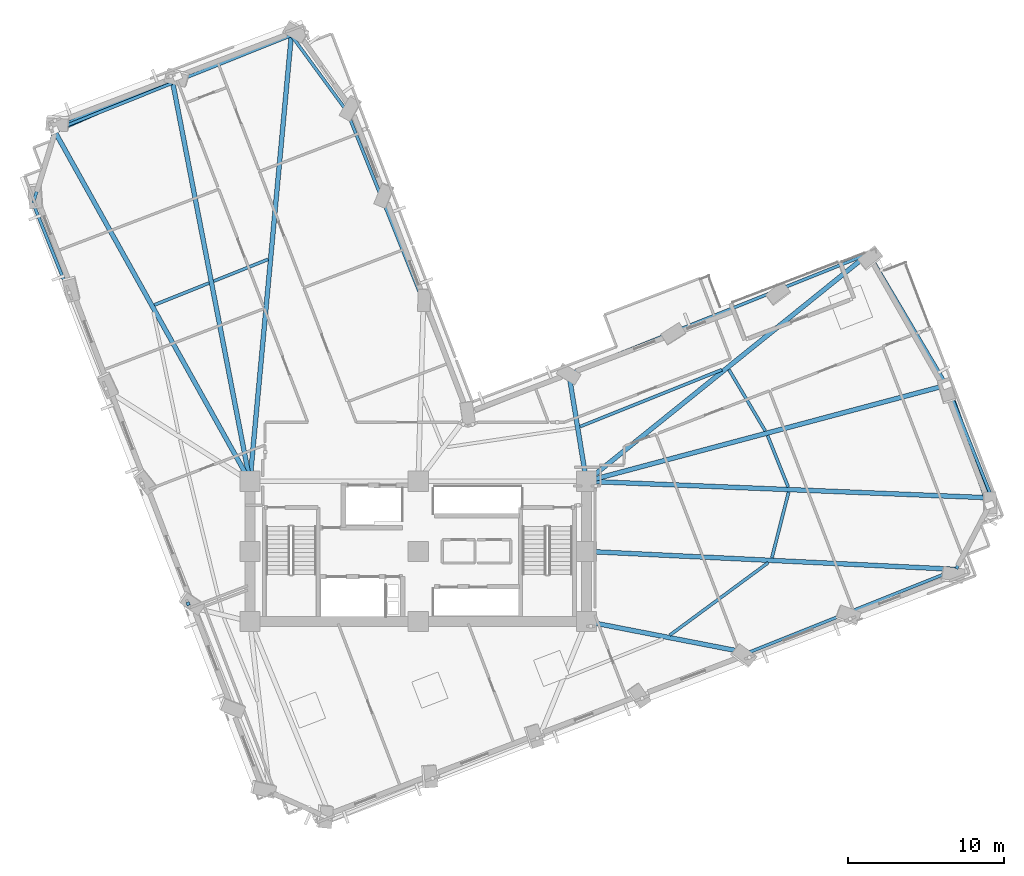
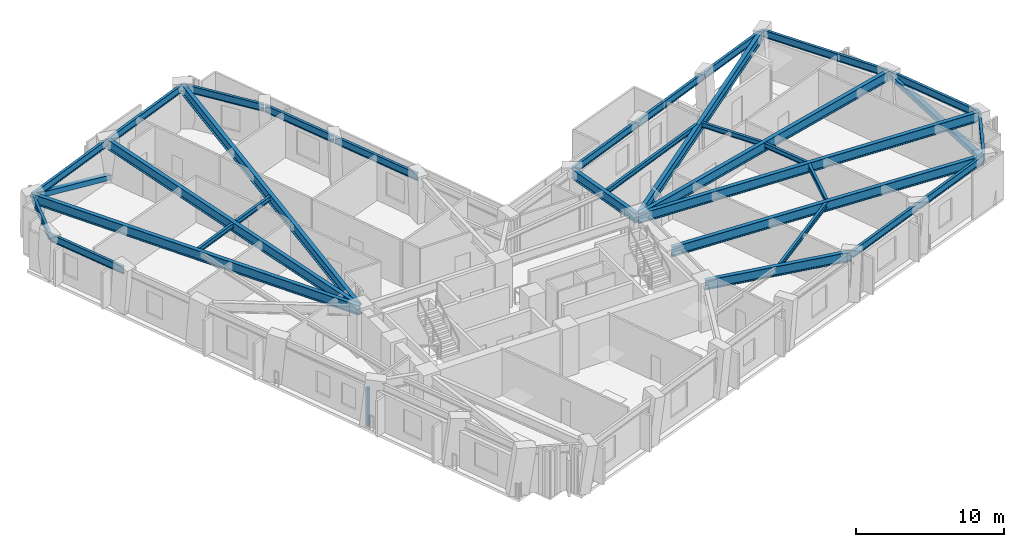
# One storey, part 2 of 15: 31 beams, 2 members, 1 plate.
"""IFC4 building model written with IfcOpenShell, lengths in metres."""

from ifc_helpers import new_model, si_unit, direction, frame, origin, origin_2d, place, context, subcontext, project, spatial, rectangle, hollow_rectangle, i_section, extrude, material, layer, layer_set, material_profile, profile_set, type_object, element, save


model = new_model("IFC4")

# Units and contexts
model_context = context("Model", 3, precision=1e-05, world=origin(), true_north=direction((0.0, 1.0)))
body_context = subcontext(model_context, "Body", "Model", "MODEL_VIEW")
ifc_project = project(units=[si_unit("LENGTHUNIT", "METRE"), si_unit("AREAUNIT", "SQUARE_METRE"), si_unit("VOLUMEUNIT", "CUBIC_METRE"), si_unit("PLANEANGLEUNIT", "RADIAN"), si_unit("MASSUNIT", "GRAM", prefix="KILO")], contexts=[model_context])

# Site, building, storey
site_placement = place(None, origin())
site = spatial("IfcSite", under=ifc_project, at=site_placement, CompositionType="ELEMENT")
building_placement = place(site_placement, origin())
building = spatial("IfcBuilding", under=site, at=building_placement, Name="Gaonmaruhae Medical Tower", CompositionType="ELEMENT")
storey_placement = place(building_placement, frame((0.0, 0.0, 112.39990234375)))
storey = spatial("IfcBuildingStorey", under=building, at=storey_placement, Name="L26", CompositionType="ELEMENT", Elevation=112.39990234375)

# Beams
ifc_material_1 = material(Name="Steel SM355", Category="steel")
ifc_material_profile_1 = material_profile(ifc_material_1, i_section(OverallWidth=0.199951171875, OverallDepth=0.39990234375, WebThickness=0.008056640625, FlangeThickness=0.012939453125, FilletRadius=0.012939453125, at=origin_2d()), Name="H-400x200x8x13")
ifc_profile_set_1 = profile_set([ifc_material_profile_1], Name="Steel SM355")
beam_type_1 = type_object("IfcBeamType", Name="FJ-01 Lower Zone Ward Floor Joist (H-400x200x8x13)", PredefinedType="JOIST", material=ifc_profile_set_1)
beam_1_placement = place(storey_placement, frame((40.951171875, 6.91748046875, 3.580078125), z_axis=(0.804739959539, 0.593627490537, 0.0), x_axis=(-0.593627490537, 0.804739959539, 0.0)))
element("IfcBeam", 1, at=beam_1_placement, inside=storey, type_object=beam_type_1, Name="L26 Secondary Floor Joist FJ03", PredefinedType="JOIST", context=body_context, shape_type="SweptSolid", body=[
    extrude(i_section(OverallWidth=0.199951171875, OverallDepth=0.39990234375, WebThickness=0.008056640625, FlangeThickness=0.012939453125, FilletRadius=0.012939453125, at=origin_2d()), origin(), (0.0, 0.0, 1.0), 7.85107421875),
])
beam_2_placement = place(storey_placement, frame((47.50439453125, 11.876953125, 3.580078125), z_axis=(0.246148847896, 0.969232038616, 0.0), x_axis=(-0.969232038616, 0.246148847896, 0.0)))
element("IfcBeam", 2, at=beam_2_placement, inside=storey, type_object=beam_type_1, Name="L26 Secondary Floor Joist FJ04", PredefinedType="JOIST", context=body_context, shape_type="SweptSolid", body=[
    extrude(i_section(OverallWidth=0.199951171875, OverallDepth=0.39990234375, WebThickness=0.008056640625, FlangeThickness=0.012939453125, FilletRadius=0.012939453125, at=origin_2d()), origin(), (0.0, 0.0, 1.0), 4.3701171875),
])
beam_3_placement = place(storey_placement, frame((48.5556640625, 16.425048828125, 3.580078125), z_axis=(-0.372168184226, 0.92816530998, 0.0), x_axis=(-0.92816530998, -0.372168184226, 0.0)))
element("IfcBeam", 3, at=beam_3_placement, inside=storey, type_object=beam_type_1, Name="L26 Secondary Floor Joist FJ05", PredefinedType="JOIST", context=body_context, shape_type="SweptSolid", body=[
    extrude(i_section(OverallWidth=0.199951171875, OverallDepth=0.39990234375, WebThickness=0.008056640625, FlangeThickness=0.012939453125, FilletRadius=0.012939453125, at=origin_2d()), origin(), (0.0, 0.0, 1.0), 3.572509765625),
])
beam_4_placement = place(storey_placement, frame((47.085205078125, 20.026123046875, 3.580078125), z_axis=(-0.509659441595, 0.860376227934, 0.0), x_axis=(-0.860376227934, -0.509659441595, 0.0)))
element("IfcBeam", 4, at=beam_4_placement, inside=storey, type_object=beam_type_1, Name="L26 Secondary Floor Joist FJ06", PredefinedType="JOIST", context=body_context, shape_type="SweptSolid", body=[
    extrude(i_section(OverallWidth=0.199951171875, OverallDepth=0.39990234375, WebThickness=0.008056640625, FlangeThickness=0.012939453125, FilletRadius=0.012939453125, at=origin_2d()), origin(), (0.0, 0.0, 1.0), 4.588134765625),
])
beam_5_placement = place(storey_placement, frame((44.294677734375, 23.960205078125, 3.580078125), z_axis=(-0.928160700417, -0.372179679995, 0.0), x_axis=(0.372179679995, -0.928160700417, 0.0)))
element("IfcBeam", 5, at=beam_5_placement, inside=storey, type_object=beam_type_1, Name="L26 Secondary Floor Joist FJ07", PredefinedType="JOIST", context=body_context, shape_type="SweptSolid", body=[
    extrude(i_section(OverallWidth=0.199951171875, OverallDepth=0.39990234375, WebThickness=0.008056640625, FlangeThickness=0.012939453125, FilletRadius=0.012939453125, at=origin_2d()), origin(), (0.0, 0.0, 1.0), 9.814697265625),
])
beam_6_placement = place(storey_placement, frame((15.166015625, 31.0478515625, 3.580078125), z_axis=(-0.928163457083, -0.372172805207, 0.0), x_axis=(0.372172805207, -0.928163457083, 0.0)))
element("IfcBeam", 6, at=beam_6_placement, inside=storey, type_object=beam_type_1, Name="L26 Secondary Floor Joist FJ11", PredefinedType="JOIST", context=body_context, shape_type="SweptSolid", body=[
    extrude(i_section(OverallWidth=0.199951171875, OverallDepth=0.39990234375, WebThickness=0.008056640625, FlangeThickness=0.012939453125, FilletRadius=0.012939453125, at=origin_2d()), origin(), (0.0, 0.0, 1.0), 3.7666015625),
])
beam_7_placement = place(storey_placement, frame((11.37548828125, 29.52783203125, 3.580078125), z_axis=(-0.928151522579, -0.37220256734, 0.0), x_axis=(0.37220256734, -0.928151522579, 0.0)))
element("IfcBeam", 7, at=beam_7_placement, inside=storey, type_object=beam_type_1, Name="L26 Secondary Floor Joist FJ12", PredefinedType="JOIST", context=body_context, shape_type="SweptSolid", body=[
    extrude(i_section(OverallWidth=0.199951171875, OverallDepth=0.39990234375, WebThickness=0.008056640625, FlangeThickness=0.012939453125, FilletRadius=0.012939453125, at=origin_2d()), origin(), (0.0, 0.0, 1.0), 3.7841796875),
])

# Members
ifc_material_2 = material(Name="Steel SM420", Category="steel")
ifc_material_profile_2 = material_profile(ifc_material_2, hollow_rectangle(XDim=0.39990234375, YDim=0.39990234375, WallThickness=0.01611328125, at=origin_2d()), Name="RHS-400x400x16")
ifc_profile_set_2 = profile_set([ifc_material_profile_2], Name="Steel SM420")
member_type = type_object("IfcMemberType", Name="PB-01 Perimeter Solid-Bay Tube Brace Lower (RHS-400x400x16)", PredefinedType="BRACE", material=ifc_profile_set_2)
member_1_placement = place(storey_placement, frame((61.484130859375, 15.270263671875, 0.25), z_axis=(-0.311926010939, 0.87416301831, 0.372211204988), x_axis=(-0.941835744965, -0.336073547763, 0.0)))
element("IfcMember", 8, at=member_1_placement, inside=storey, type_object=member_type, Name="L26 Perimeter Tube Solid-Bay Brace E01-E02", PredefinedType="BRACE", context=body_context, shape_type="SweptSolid", body=[
    extrude(hollow_rectangle(XDim=0.39990234375, YDim=0.39990234375, WallThickness=0.01611328125, at=origin_2d()), origin(), (0.0, 0.0, 1.0), 8.812255859375),
])
member_2_placement = place(storey_placement, frame((9.340087890625, 42.778564453125, 0.25), z_axis=(-0.856449218579, -0.374466756327, 0.355344036676), x_axis=(0.40061249616, -0.916247580035, 0.0)))
element("IfcMember", 9, at=member_2_placement, inside=storey, type_object=member_type, Name="L26 Perimeter Tube Solid-Bay Brace N02-N03", PredefinedType="BRACE", context=body_context, shape_type="SweptSolid", body=[
    extrude(hollow_rectangle(XDim=0.39990234375, YDim=0.39990234375, WallThickness=0.01611328125, at=origin_2d()), origin(), (0.0, 0.0, 1.0), 9.23046875),
])

# Beams
ifc_material_profile_3 = material_profile(ifc_material_2, i_section(OverallWidth=0.300048828125, OverallDepth=0.800048828125, WebThickness=0.013916015625, FlangeThickness=0.02587890625, FilletRadius=0.01806640625, at=origin_2d()), Name="H-800x300x14x26")
ifc_profile_set_3 = profile_set([ifc_material_profile_3], Name="Steel SM420")
beam_type_2 = type_object("IfcBeamType", Name="PG-02 Zone 2 Radial Floor Girder (H-800x300x14x26)", PredefinedType="BEAM", material=ifc_profile_set_3)
beam_8_placement = place(storey_placement, frame((35.649169921875, 7.79052734375, 3.380126953125), z_axis=(0.981636280026, -0.190762191581, 0.0), x_axis=(0.190762191581, 0.981636280026, 0.0)))
element("IfcBeam", 10, at=beam_8_placement, inside=storey, type_object=beam_type_2, Name="L26 Radial Primary Girder S05", PredefinedType="BEAM", context=body_context, shape_type="SweptSolid", body=[
    extrude(i_section(OverallWidth=0.300048828125, OverallDepth=0.800048828125, WebThickness=0.013916015625, FlangeThickness=0.02587890625, FilletRadius=0.01806640625, at=origin_2d()), origin(), (0.0, 0.0, 1.0), 10.458740234375),
])
beam_9_placement = place(storey_placement, frame((35.64990234375, 12.297607421875, 3.380126953125), z_axis=(0.998818125367, -0.04860403726, 0.0), x_axis=(0.04860403726, 0.998818125367, 0.0)))
element("IfcBeam", 11, at=beam_9_placement, inside=storey, type_object=beam_type_2, Name="L26 Radial Primary Girder S07", PredefinedType="BEAM", context=body_context, shape_type="SweptSolid", body=[
    extrude(i_section(OverallWidth=0.300048828125, OverallDepth=0.800048828125, WebThickness=0.013916015625, FlangeThickness=0.02587890625, FilletRadius=0.01806640625, at=origin_2d()), origin(), (0.0, 0.0, 1.0), 23.65869140625),
])
beam_10_placement = place(storey_placement, frame((35.64990234375, 16.7978515625, 3.380126953125), z_axis=(0.999163252093, -0.040899824775, 0.0), x_axis=(0.040899824775, 0.999163252093, 0.0)))
element("IfcBeam", 12, at=beam_10_placement, inside=storey, type_object=beam_type_2, Name="L26 Radial Primary Girder E01", PredefinedType="BEAM", context=body_context, shape_type="SweptSolid", body=[
    extrude(i_section(OverallWidth=0.300048828125, OverallDepth=0.800048828125, WebThickness=0.013916015625, FlangeThickness=0.02587890625, FilletRadius=0.01806640625, at=origin_2d()), origin(), (0.0, 0.0, 1.0), 25.960205078125),
])
beam_11_placement = place(storey_placement, frame((35.648193359375, 16.81298828125, 3.380126953125), z_axis=(0.966192952465, 0.257820050823, 0.0), x_axis=(-0.257820050823, 0.966192952465, 0.0)))
element("IfcBeam", 13, at=beam_11_placement, inside=storey, type_object=beam_type_2, Name="L26 Radial Primary Girder E02", PredefinedType="BEAM", context=body_context, shape_type="SweptSolid", body=[
    extrude(i_section(OverallWidth=0.300048828125, OverallDepth=0.800048828125, WebThickness=0.013916015625, FlangeThickness=0.02587890625, FilletRadius=0.01806640625, at=origin_2d()), origin(), (0.0, 0.0, 1.0), 23.844970703125),
])
beam_12_placement = place(storey_placement, frame((35.638916015625, 16.831298828125, 3.360107421875), z_axis=(0.778512425402, 0.627629192672, 0.0), x_axis=(-0.627629192672, 0.778512425402, 0.0)))
element("IfcBeam", 14, at=beam_12_placement, inside=storey, type_object=beam_type_2, Name="L26 Radial Primary Girder E03", PredefinedType="BEAM", context=body_context, shape_type="SweptSolid", body=[
    extrude(i_section(OverallWidth=0.300048828125, OverallDepth=0.800048828125, WebThickness=0.013916015625, FlangeThickness=0.02587890625, FilletRadius=0.01806640625, at=origin_2d()), origin(), (0.0, 0.0, 1.0), 23.19189453125),
])
beam_13_placement = place(storey_placement, frame((35.592041015625, 16.849365234375, 3.380126953125), z_axis=(-0.161219275315, 0.986918611268, 0.0), x_axis=(-0.986918611268, -0.161219275315, 0.0)))
element("IfcBeam", 15, at=beam_13_placement, inside=storey, type_object=beam_type_2, Name="L26 Radial Primary Girder EN03", PredefinedType="BEAM", context=body_context, shape_type="SweptSolid", body=[
    extrude(i_section(OverallWidth=0.300048828125, OverallDepth=0.800048828125, WebThickness=0.013916015625, FlangeThickness=0.02587890625, FilletRadius=0.01806640625, at=origin_2d()), origin(), (0.0, 0.0, 1.0), 6.88720703125),
])
beam_14_placement = place(storey_placement, frame((14.004638671875, 16.849853515625, 3.380126953125), z_axis=(0.092402716287, 0.995721717159, 0.0), x_axis=(-0.995721717159, 0.092402716287, 0.0)))
element("IfcBeam", 16, at=beam_14_placement, inside=storey, type_object=beam_type_2, Name="L26 Radial Primary Girder N01", PredefinedType="BEAM", context=body_context, shape_type="SweptSolid", body=[
    extrude(i_section(OverallWidth=0.300048828125, OverallDepth=0.800048828125, WebThickness=0.013916015625, FlangeThickness=0.02587890625, FilletRadius=0.01806640625, at=origin_2d()), origin(), (0.0, 0.0, 1.0), 28.648681640625),
])
beam_15_placement = place(storey_placement, frame((13.990478515625, 16.84912109375, 3.380126953125), z_axis=(-0.190199766141, 0.981745409442, 0.0), x_axis=(-0.981745409442, -0.190199766141, 0.0)))
element("IfcBeam", 17, at=beam_15_placement, inside=storey, type_object=beam_type_2, Name="L26 Radial Primary Girder N02", PredefinedType="BEAM", context=body_context, shape_type="SweptSolid", body=[
    extrude(i_section(OverallWidth=0.300048828125, OverallDepth=0.800048828125, WebThickness=0.013916015625, FlangeThickness=0.02587890625, FilletRadius=0.01806640625, at=origin_2d()), origin(), (0.0, 0.0, 1.0), 25.94921875),
])
beam_16_placement = place(storey_placement, frame((13.9755859375, 16.84375, 3.380126953125), z_axis=(-0.487217186843, 0.873280832748, 0.0), x_axis=(-0.873280832748, -0.487217186843, 0.0)))
element("IfcBeam", 18, at=beam_16_placement, inside=storey, type_object=beam_type_2, Name="L26 Radial Primary Girder N03", PredefinedType="BEAM", context=body_context, shape_type="SweptSolid", body=[
    extrude(i_section(OverallWidth=0.300048828125, OverallDepth=0.800048828125, WebThickness=0.013916015625, FlangeThickness=0.02587890625, FilletRadius=0.01806640625, at=origin_2d()), origin(), (0.0, 0.0, 1.0), 25.68994140625),
])
ifc_material_profile_4 = material_profile(ifc_material_1, i_section(OverallWidth=0.199951171875, OverallDepth=0.60009765625, WebThickness=0.010986328125, FlangeThickness=0.01708984375, FilletRadius=0.012939453125, at=origin_2d()), Name="H-600x200x11x17")
ifc_profile_set_4 = profile_set([ifc_material_profile_4], Name="Steel SM355")
beam_type_3 = type_object("IfcBeamType", Name="SP-01 Lower Perimeter Spandrel Beam (H-600x200x11x17)", PredefinedType="SPANDREL", material=ifc_profile_set_4)
beam_17_placement = place(storey_placement, frame((46.001953125, 5.80078125, 3.47998046875), z_axis=(0.928164216395, 0.37217091155, 0.0), x_axis=(-0.37217091155, 0.928164216395, 0.0)))
element("IfcBeam", 19, at=beam_17_placement, inside=storey, type_object=beam_type_3, Name="L26 Perimeter Spandrel Beam S05-S06", PredefinedType="SPANDREL", context=body_context, shape_type="SweptSolid", body=[
    extrude(i_section(OverallWidth=0.199951171875, OverallDepth=0.60009765625, WebThickness=0.010986328125, FlangeThickness=0.01708984375, FilletRadius=0.012939453125, at=origin_2d()), origin(), (0.0, 0.0, 1.0), 7.1201171875),
])
beam_18_placement = place(storey_placement, frame((52.684814453125, 8.48046875, 3.47998046875), z_axis=(0.928159466782, 0.372182756482, 0.0), x_axis=(-0.372182756482, 0.928159466782, 0.0)))
element("IfcBeam", 20, at=beam_18_placement, inside=storey, type_object=beam_type_3, Name="L26 Perimeter Spandrel Beam S06-S07", PredefinedType="SPANDREL", context=body_context, shape_type="SweptSolid", body=[
    extrude(i_section(OverallWidth=0.199951171875, OverallDepth=0.60009765625, WebThickness=0.010986328125, FlangeThickness=0.01708984375, FilletRadius=0.012939453125, at=origin_2d()), origin(), (0.0, 0.0, 1.0), 7.119873046875),
])
beam_19_placement = place(storey_placement, frame((59.348388671875, 11.18115234375, 3.47998046875), z_axis=(0.449336858059, 0.89336240574, 0.0), x_axis=(-0.89336240574, 0.449336858059, 0.0)))
element("IfcBeam", 21, at=beam_19_placement, inside=storey, type_object=beam_type_3, Name="L26 Perimeter Spandrel Beam S07-E01", PredefinedType="SPANDREL", context=body_context, shape_type="SweptSolid", body=[
    extrude(i_section(OverallWidth=0.199951171875, OverallDepth=0.60009765625, WebThickness=0.010986328125, FlangeThickness=0.01708984375, FilletRadius=0.012939453125, at=origin_2d()), origin(), (0.0, 0.0, 1.0), 5.056396484375),
])
beam_20_placement = place(storey_placement, frame((61.62353515625, 15.77099609375, 3.47998046875), z_axis=(-0.372181138067, 0.928160115749, 0.0), x_axis=(-0.928160115749, -0.372181138067, 0.0)))
element("IfcBeam", 22, at=beam_20_placement, inside=storey, type_object=beam_type_3, Name="L26 Perimeter Spandrel Beam E01-E02", PredefinedType="SPANDREL", context=body_context, shape_type="SweptSolid", body=[
    extrude(i_section(OverallWidth=0.199951171875, OverallDepth=0.60009765625, WebThickness=0.010986328125, FlangeThickness=0.01708984375, FilletRadius=0.012939453125, at=origin_2d()), origin(), (0.0, 0.0, 1.0), 7.72021484375),
])
beam_21_placement = place(storey_placement, frame((58.715087890625, 23.008056640625, 3.47998046875), z_axis=(-0.509660087985, 0.860375845032, 0.0), x_axis=(-0.860375845032, -0.509660087985, 0.0)))
element("IfcBeam", 23, at=beam_21_placement, inside=storey, type_object=beam_type_3, Name="L26 Perimeter Spandrel Beam E02-E03", PredefinedType="SPANDREL", context=body_context, shape_type="SweptSolid", body=[
    extrude(i_section(OverallWidth=0.199951171875, OverallDepth=0.60009765625, WebThickness=0.010986328125, FlangeThickness=0.01708984375, FilletRadius=0.012939453125, at=origin_2d()), origin(), (0.0, 0.0, 1.0), 9.7353515625),
])
beam_22_placement = place(storey_placement, frame((53.696044921875, 31.403564453125, 3.460205078125), z_axis=(-0.928164860375, -0.372169305511, 0.0), x_axis=(0.372169305511, -0.928164860375, 0.0)))
element("IfcBeam", 24, at=beam_22_placement, inside=storey, type_object=beam_type_3, Name="L26 Perimeter Spandrel Beam E03-EN01", PredefinedType="SPANDREL", context=body_context, shape_type="SweptSolid", body=[
    extrude(i_section(OverallWidth=0.199951171875, OverallDepth=0.60009765625, WebThickness=0.010986328125, FlangeThickness=0.01708984375, FilletRadius=0.012939453125, at=origin_2d()), origin(), (0.0, 0.0, 1.0), 6.27001953125),
])
beam_23_placement = place(storey_placement, frame((47.802001953125, 29.040283203125, 3.460205078125), z_axis=(-0.928159466782, -0.372182756482, 0.0), x_axis=(0.372182756482, -0.928159466782, 0.0)))
element("IfcBeam", 25, at=beam_23_placement, inside=storey, type_object=beam_type_3, Name="L26 Perimeter Spandrel Beam EN01-EN02", PredefinedType="SPANDREL", context=body_context, shape_type="SweptSolid", body=[
    extrude(i_section(OverallWidth=0.199951171875, OverallDepth=0.60009765625, WebThickness=0.010986328125, FlangeThickness=0.01708984375, FilletRadius=0.012939453125, at=origin_2d()), origin(), (0.0, 0.0, 1.0), 7.119873046875),
])
beam_24_placement = place(storey_placement, frame((41.119384765625, 26.360595703125, 3.47998046875), z_axis=(-0.928164216395, -0.37217091155, 0.0), x_axis=(0.37217091155, -0.928164216395, 0.0)))
element("IfcBeam", 26, at=beam_24_placement, inside=storey, type_object=beam_type_3, Name="L26 Perimeter Spandrel Beam EN02-EN03", PredefinedType="SPANDREL", context=body_context, shape_type="SweptSolid", body=[
    extrude(i_section(OverallWidth=0.199951171875, OverallDepth=0.60009765625, WebThickness=0.010986328125, FlangeThickness=0.01708984375, FilletRadius=0.012939453125, at=origin_2d()), origin(), (0.0, 0.0, 1.0), 7.1201171875),
])
beam_25_placement = place(storey_placement, frame((25.123779296875, 28.339599609375, 3.47998046875), z_axis=(-0.372182756482, 0.928159466782, 0.0), x_axis=(-0.928159466782, -0.372182756482, 0.0)))
element("IfcBeam", 27, at=beam_25_placement, inside=storey, type_object=beam_type_3, Name="L26 Perimeter Spandrel Beam NE01-NE02", PredefinedType="SPANDREL", context=body_context, shape_type="SweptSolid", body=[
    extrude(i_section(OverallWidth=0.199951171875, OverallDepth=0.60009765625, WebThickness=0.010986328125, FlangeThickness=0.01708984375, FilletRadius=0.012939453125, at=origin_2d()), origin(), (0.0, 0.0, 1.0), 7.119873046875),
])
beam_26_placement = place(storey_placement, frame((22.444091796875, 35.0224609375, 3.47998046875), z_axis=(-0.372194012763, 0.928154953046, 0.0), x_axis=(-0.928154953046, -0.372194012763, 0.0)))
element("IfcBeam", 28, at=beam_26_placement, inside=storey, type_object=beam_type_3, Name="L26 Perimeter Spandrel Beam NE02-NE03", PredefinedType="SPANDREL", context=body_context, shape_type="SweptSolid", body=[
    extrude(i_section(OverallWidth=0.199951171875, OverallDepth=0.60009765625, WebThickness=0.010986328125, FlangeThickness=0.01708984375, FilletRadius=0.012939453125, at=origin_2d()), origin(), (0.0, 0.0, 1.0), 5.919921875),
])
beam_27_placement = place(storey_placement, frame((20.2021484375, 40.58642578125, 3.47998046875), z_axis=(-0.591054579299, 0.806631566633, 0.0), x_axis=(-0.806631566633, -0.591054579299, 0.0)))
element("IfcBeam", 29, at=beam_27_placement, inside=storey, type_object=beam_type_3, Name="L26 Perimeter Spandrel Beam NE03-N01", PredefinedType="SPANDREL", context=body_context, shape_type="SweptSolid", body=[
    extrude(i_section(OverallWidth=0.199951171875, OverallDepth=0.60009765625, WebThickness=0.010986328125, FlangeThickness=0.01708984375, FilletRadius=0.012939453125, at=origin_2d()), origin(), (0.0, 0.0, 1.0), 5.959228515625),
])
beam_28_placement = place(storey_placement, frame((16.619140625, 45.410888671875, 3.47998046875), z_axis=(-0.92815494197, -0.372194040384, 0.0), x_axis=(0.372194040384, -0.92815494197, 0.0)))
element("IfcBeam", 30, at=beam_28_placement, inside=storey, type_object=beam_type_3, Name="L26 Perimeter Spandrel Beam N01-N02", PredefinedType="SPANDREL", context=body_context, shape_type="SweptSolid", body=[
    extrude(i_section(OverallWidth=0.199951171875, OverallDepth=0.60009765625, WebThickness=0.010986328125, FlangeThickness=0.01708984375, FilletRadius=0.012939453125, at=origin_2d()), origin(), (0.0, 0.0, 1.0), 8.1201171875),
])
beam_29_placement = place(storey_placement, frame((9.00830078125, 42.35888671875, 3.47998046875), z_axis=(-0.928165328333, -0.372168138455, 0.0), x_axis=(0.372168138455, -0.928165328333, 0.0)))
element("IfcBeam", 31, at=beam_29_placement, inside=storey, type_object=beam_type_3, Name="L26 Perimeter Spandrel Beam N02-N03", PredefinedType="SPANDREL", context=body_context, shape_type="SweptSolid", body=[
    extrude(i_section(OverallWidth=0.199951171875, OverallDepth=0.60009765625, WebThickness=0.010986328125, FlangeThickness=0.01708984375, FilletRadius=0.012939453125, at=origin_2d()), origin(), (0.0, 0.0, 1.0), 8.119873046875),
])
beam_30_placement = place(storey_placement, frame((1.42333984375, 39.283447265625, 3.47998046875), z_axis=(-0.276903329905, -0.960897781186, 0.0), x_axis=(0.960897781186, -0.276903329905, 0.0)))
element("IfcBeam", 32, at=beam_30_placement, inside=storey, type_object=beam_type_3, Name="L26 Perimeter Spandrel Beam N03-W01", PredefinedType="SPANDREL", context=body_context, shape_type="SweptSolid", body=[
    extrude(i_section(OverallWidth=0.199951171875, OverallDepth=0.60009765625, WebThickness=0.010986328125, FlangeThickness=0.01708984375, FilletRadius=0.012939453125, at=origin_2d()), origin(), (0.0, 0.0, 1.0), 4.80078125),
])
beam_31_placement = place(storey_placement, frame((0.097900390625, 34.594970703125, 3.47998046875), z_axis=(0.372163151369, -0.928167327998, 0.0), x_axis=(0.928167327998, 0.372163151369, 0.0)))
element("IfcBeam", 33, at=beam_31_placement, inside=storey, type_object=beam_type_3, Name="L26 Perimeter Spandrel Beam W01-W02", PredefinedType="SPANDREL", context=body_context, shape_type="SweptSolid", body=[
    extrude(i_section(OverallWidth=0.199951171875, OverallDepth=0.60009765625, WebThickness=0.010986328125, FlangeThickness=0.01708984375, FilletRadius=0.012939453125, at=origin_2d()), origin(), (0.0, 0.0, 1.0), 6.31982421875),
])

# Plate
ifc_material_3 = material(Name="Anodised aluminium 6063-T6", Category="aluminium")
ifc_layer = layer(ifc_material_3, 0.011962890625)
ifc_layer_set = layer_set([ifc_layer], Name="Anodised aluminium 6063-T6")
plate_type = type_object("IfcPlateType", Name="PP-01 Interior Partition Corner Stiffener Plate", PredefinedType="SHEET", material=ifc_layer_set)
plate_placement = place(storey_placement, frame((10.029052734375, 8.935546875, 0.0), z_axis=(0.0, 0.0, 1.0), x_axis=(-0.356444492729, 0.934316500766, 0.0)))
element("IfcPlate", 34, at=plate_placement, inside=storey, type_object=plate_type, Name="L26 Partition Corner Stiffener Plate PLT-L26-JGP-PW043", PredefinedType="SHEET", context=body_context, shape_type="SweptSolid", body=[
    extrude(rectangle(XDim=0.219970703125, YDim=0.219970703125, at=origin_2d()), origin(), (0.0, 0.0, 1.0), 3.1650390625),
])

save(model, "model.ifc")
